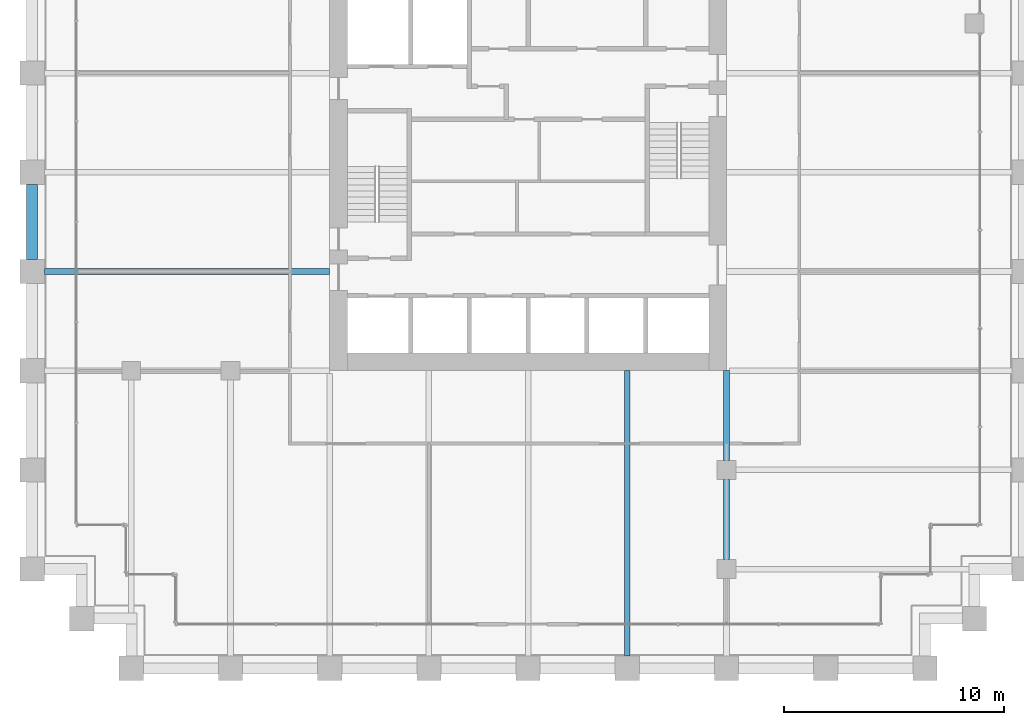
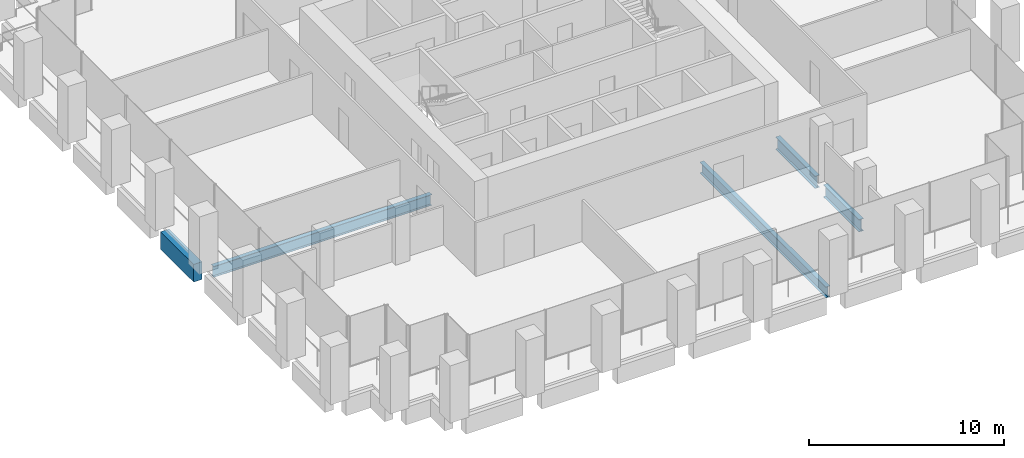
# One storey, part 10 of 56: 5 beams.
"""IFC4 building model written with IfcOpenShell, lengths in metres."""

from ifc_helpers import new_model, si_unit, direction, frame, origin, origin_2d, place, context, subcontext, project, spatial, rectangle, i_section, extrude, material, material_profile, profile_set, type_object, element, save


model = new_model("IFC4")

# Units and contexts
model_context = context("Model", 3, precision=1e-05, world=origin(), true_north=direction((0.0, 1.0)))
body_context = subcontext(model_context, "Body", "Model", "MODEL_VIEW")
ifc_project = project(units=[si_unit("LENGTHUNIT", "METRE"), si_unit("AREAUNIT", "SQUARE_METRE"), si_unit("VOLUMEUNIT", "CUBIC_METRE"), si_unit("PLANEANGLEUNIT", "RADIAN"), si_unit("MASSUNIT", "GRAM", prefix="KILO")], contexts=[model_context])

# Site, building, storey
site_placement = place(None, origin())
site = spatial("IfcSite", under=ifc_project, at=site_placement, CompositionType="ELEMENT")
building_placement = place(site_placement, origin())
building = spatial("IfcBuilding", under=site, at=building_placement, Name="Altepetl Exchange Towers", CompositionType="ELEMENT")
storey_placement = place(building_placement, frame((0.0, 0.0, 83.39990234375)))
storey = spatial("IfcBuildingStorey", under=building, at=storey_placement, Name="L20", CompositionType="ELEMENT", Elevation=83.39990234375)

# Beams
ifc_material_1 = material(Name="Steel S355", Category="steel")
ifc_material_profile_1 = material_profile(ifc_material_1, i_section(OverallWidth=0.25390625, OverallDepth=0.68408203125, WebThickness=0.012451171875, FlangeThickness=0.018798828125, at=origin_2d()), Name="W27X94")
ifc_profile_set_1 = profile_set([ifc_material_profile_1], Name="Steel S355")
beam_type_1 = type_object("IfcBeamType", Name="Floor beam W27X94", PredefinedType="BEAM", material=ifc_profile_set_1)
for number, where, z_axis, x_axis, name in (
    (1, (54.0, 27.550048828125, -0.491943359375), (0.0, 1.0, 0.0), (-1.0, 0.0, 0.0), "bm:A:L20:017"),
    (2, (27.550048828125, 45.0, -0.491943359375), (1.0, 0.0, 0.0), (0.0, 1.0, 0.0), "bm:A:L20:018"),
):
    element("IfcBeam", number, at=place(storey_placement, frame(where, z_axis=z_axis, x_axis=x_axis)), inside=storey, type_object=beam_type_1, Name=name, PredefinedType="BEAM", context=body_context, shape_type="SweptSolid", body=[
        extrude(i_section(OverallWidth=0.25390625, OverallDepth=0.68408203125, WebThickness=0.012451171875, FlangeThickness=0.018798828125, at=origin_2d()), origin(), (0.0, 0.0, 1.0), 12.949951171875),
    ])
ifc_material_profile_2 = material_profile(ifc_material_1, i_section(OverallWidth=0.26806640625, OverallDepth=0.77392578125, WebThickness=0.015380859375, FlangeThickness=0.025390625, at=origin_2d()), Name="W30X132")
ifc_profile_set_2 = profile_set([ifc_material_profile_2], Name="Steel S355")
beam_type_2 = type_object("IfcBeamType", Name="Girder W30X132", PredefinedType="BEAM", material=ifc_profile_set_2)
beam_1_placement = place(storey_placement, frame((58.5, 40.5, -0.536865234375), z_axis=(0.0, -1.0, 0.0), x_axis=(1.0, 0.0, 0.0)))
element("IfcBeam", 3, at=beam_1_placement, inside=storey, type_object=beam_type_2, Name="gd:A:L20:006", PredefinedType="BEAM", context=body_context, shape_type="SweptSolid", body=[
    extrude(i_section(OverallWidth=0.26806640625, OverallDepth=0.77392578125, WebThickness=0.015380859375, FlangeThickness=0.025390625, at=origin_2d()), origin(), (0.0, 0.0, 1.0), 4.074951171875),
])
beam_2_placement = place(storey_placement, frame((58.5, 35.574951171875, -0.536865234375), z_axis=(0.0, -1.0, 0.0), x_axis=(1.0, 0.0, 0.0)))
element("IfcBeam", 4, at=beam_2_placement, inside=storey, type_object=beam_type_2, Name="gd:A:L20:007", PredefinedType="BEAM", context=body_context, shape_type="SweptSolid", body=[
    extrude(i_section(OverallWidth=0.26806640625, OverallDepth=0.77392578125, WebThickness=0.015380859375, FlangeThickness=0.025390625, at=origin_2d()), origin(), (0.0, 0.0, 1.0), 3.64990234375),
])
ifc_material_2 = material(Name="Concrete C50/60 precast with tezontle facing", Category="concrete")
ifc_material_profile_3 = material_profile(ifc_material_2, rectangle(XDim=0.5, YDim=1.10009765625, at=origin_2d()), Name="500 x 1100")
ifc_profile_set_3 = profile_set([ifc_material_profile_3], Name="Concrete C50/60 precast with tezontle facing")
beam_type_3 = type_object("IfcBeamType", Name="Spandrel beam 500x1100 tezontle", PredefinedType="SPANDREL", material=ifc_profile_set_3)
beam_3_placement = place(storey_placement, frame((27.0, 48.949951171875, -0.699951171875), z_axis=(0.0, -1.0, 0.0), x_axis=(1.0, 0.0, 0.0)))
element("IfcBeam", 5, at=beam_3_placement, inside=storey, type_object=beam_type_3, Name="sp:A:L20:040", PredefinedType="SPANDREL", context=body_context, shape_type="SweptSolid", body=[
    extrude(rectangle(XDim=0.5, YDim=1.10009765625, at=origin_2d()), origin(), (0.0, 0.0, 1.0), 3.39990234375),
])

save(model, "model.ifc")
